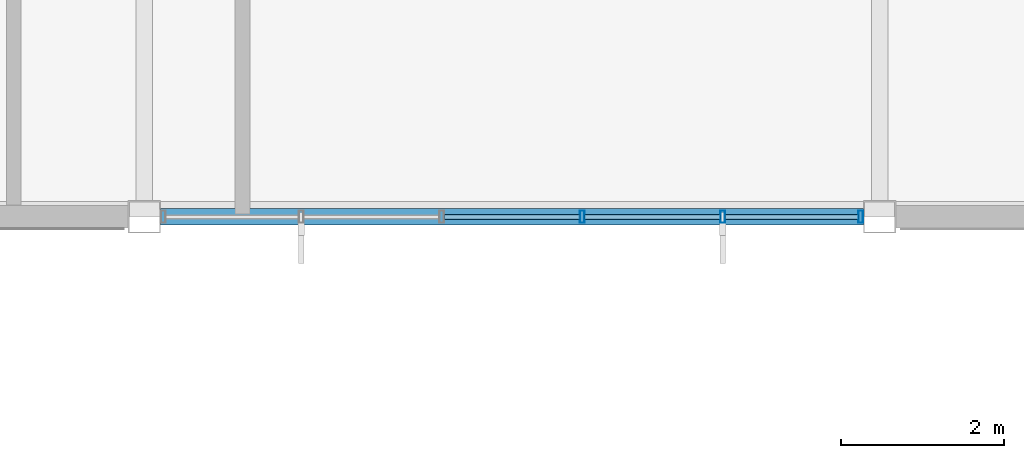
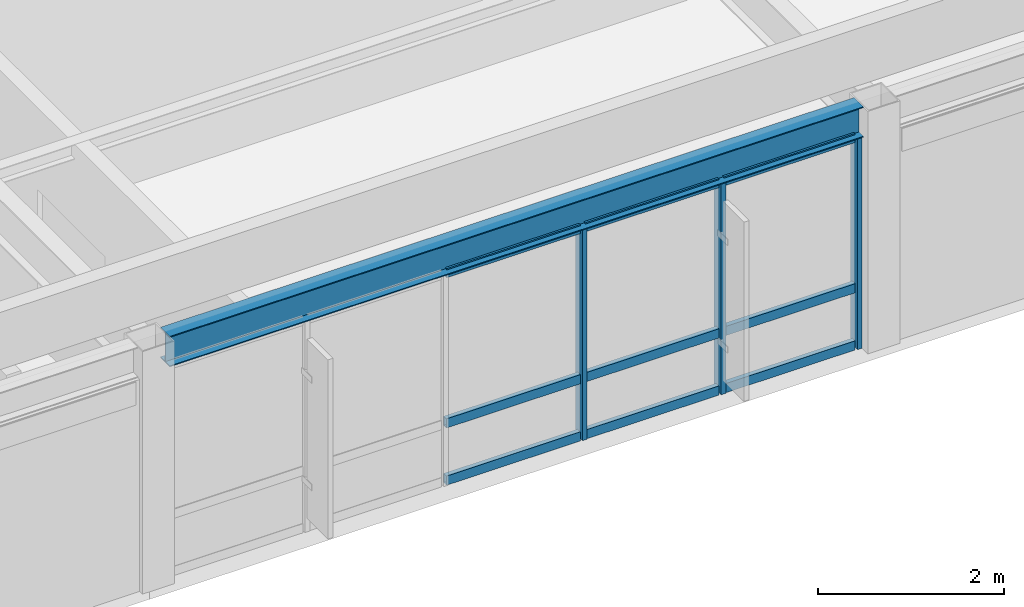
# One storey, part 6 of 43: 12 members, 1 beam, 1 element without a shape of its own.
"""IFC4 building model written with IfcOpenShell, lengths in metres."""

from ifc_helpers import new_model, si_unit, direction, frame, origin, origin_2d, place, context, subcontext, project, spatial, hollow_rectangle, i_section, extrude, material, material_profile, profile_set, type_object, element, aggregate, save


model = new_model("IFC4")

# Units and contexts
model_context = context("Model", 3, precision=1e-05, world=origin(), true_north=direction((0.0, 1.0)))
body_context = subcontext(model_context, "Body", "Model", "MODEL_VIEW")
ifc_project = project(units=[si_unit("LENGTHUNIT", "METRE"), si_unit("AREAUNIT", "SQUARE_METRE"), si_unit("VOLUMEUNIT", "CUBIC_METRE"), si_unit("PLANEANGLEUNIT", "RADIAN"), si_unit("MASSUNIT", "GRAM", prefix="KILO")], contexts=[model_context])

# Site, building, storey
site_placement = place(None, origin())
site = spatial("IfcSite", under=ifc_project, at=site_placement, CompositionType="ELEMENT")
building_placement = place(site_placement, origin())
building = spatial("IfcBuilding", under=site, at=building_placement, Name="Kazanami Central Library", CompositionType="ELEMENT")
storey_placement = place(building_placement, frame((0.0, 0.0, 20.60009765625)))
storey = spatial("IfcBuildingStorey", under=building, at=storey_placement, Name="L06", CompositionType="ELEMENT", Elevation=20.60009765625)

# Beam
ifc_material_1 = material(Name="Steel SN490B (325 MPa)", Category="steel")
ifc_material_profile_1 = material_profile(ifc_material_1, i_section(OverallWidth=0.199951171875, OverallDepth=0.39990234375, WebThickness=0.008056640625, FlangeThickness=0.012939453125, at=origin_2d()), Name="H-400x200x8x13")
ifc_profile_set_1 = profile_set([ifc_material_profile_1], Name="Steel SN490B (325 MPa)")
beam_type = type_object("IfcBeamType", Name="BM-SP-3", PredefinedType="SPANDREL", material=ifc_profile_set_1)
beam_placement = place(storey_placement, frame((18.197998046875, 64.800048828125, 2.97998046875), z_axis=(1.0, 0.0, 0.0), x_axis=(0.0, 1.0, 0.0)))
element("IfcBeam", 1, at=beam_placement, inside=storey, type_object=beam_type, Name="Girder SP-3 L06 K/3-4", PredefinedType="SPANDREL", context=body_context, shape_type="SweptSolid", body=[
    extrude(i_section(OverallWidth=0.199951171875, OverallDepth=0.39990234375, WebThickness=0.008056640625, FlangeThickness=0.012939453125, at=origin_2d()), origin(), (0.0, 0.0, 1.0), 8.60400390625),
])

# Curtain wall, members
ifc_material_2 = material(Name="Acid-Etched Low-E Laminated Glass", Category="glass")
curtain_wall_type = type_object("IfcCurtainWallType", Name="CW-8600x2780-M180", PredefinedType="USERDEFINED", material=ifc_material_2)
curtain_wall_placement = place(storey_placement, origin())
curtain_wall = element("IfcCurtainWall", 2, at=curtain_wall_placement, inside=storey, type_object=curtain_wall_type, Name="Unitised Curtain Wall CW-57 L06 S-K-02", ObjectType="UNITISED CURTAIN WALL", PredefinedType="USERDEFINED")
ifc_material_3 = material(Name="Anodised Aluminium A6063-T5", Category="aluminium")
ifc_material_profile_2 = material_profile(ifc_material_3, hollow_rectangle(XDim=0.06005859375, YDim=0.14990234375, WallThickness=0.00390625, at=origin_2d()), Name="ALU-MULL-60x150x4")
ifc_profile_set_2 = profile_set([ifc_material_profile_2], Name="Anodised Aluminium A6063-T5")
member_type_1 = type_object("IfcMemberType", Name="MEM-CW-M3", PredefinedType="MULLION", material=ifc_profile_set_2)
member_1_placement = place(storey_placement, frame((23.360107421875, 64.800048828125, 0.0), z_axis=(0.0, 0.0, 1.0), x_axis=(1.0, 0.0, 0.0)))
member_1 = element("IfcMember", 3, at=member_1_placement, type_object=member_type_1, Name="CW-57 mullion 4", PredefinedType="MULLION", context=body_context, shape_type="SweptSolid", body=[
    extrude(hollow_rectangle(XDim=0.06005859375, YDim=0.14990234375, WallThickness=0.00390625, at=origin_2d()), origin(), (0.0, 0.0, 1.0), 2.77978515625),
])
member_2_placement = place(storey_placement, frame((25.080078125, 64.800048828125, 0.0), z_axis=(0.0, 0.0, 1.0), x_axis=(1.0, 0.0, 0.0)))
member_2 = element("IfcMember", 4, at=member_2_placement, type_object=member_type_1, Name="CW-57 mullion 5", PredefinedType="MULLION", context=body_context, shape_type="SweptSolid", body=[
    extrude(hollow_rectangle(XDim=0.06005859375, YDim=0.14990234375, WallThickness=0.00390625, at=origin_2d()), origin(), (0.0, 0.0, 1.0), 2.77978515625),
])
member_3_placement = place(storey_placement, frame((26.77001953125, 64.800048828125, 0.0), z_axis=(0.0, 0.0, 1.0), x_axis=(1.0, 0.0, 0.0)))
member_3 = element("IfcMember", 5, at=member_3_placement, type_object=member_type_1, Name="CW-57 mullion 6", PredefinedType="MULLION", context=body_context, shape_type="SweptSolid", body=[
    extrude(hollow_rectangle(XDim=0.06005859375, YDim=0.14990234375, WallThickness=0.00390625, at=origin_2d()), origin(), (0.0, 0.0, 1.0), 2.77978515625),
])
ifc_material_profile_3 = material_profile(ifc_material_3, hollow_rectangle(XDim=0.06005859375, YDim=0.1201171875, WallThickness=0.00341796875, at=origin_2d()), Name="ALU-TRAN-60x120x3.5")
ifc_profile_set_3 = profile_set([ifc_material_profile_3], Name="Anodised Aluminium A6063-T5")
member_type_2 = type_object("IfcMemberType", Name="MEM-CW-T3", PredefinedType="USERDEFINED", material=ifc_profile_set_3)
member_4_placement = place(storey_placement, frame((21.669921875, 64.800048828125, 0.02978515625), z_axis=(1.0, 0.0, 0.0), x_axis=(0.0, 1.0, 0.0)))
member_4 = element("IfcMember", 6, at=member_4_placement, type_object=member_type_2, Name="CW-57 transom 3.1", ObjectType="TRANSOM", PredefinedType="USERDEFINED", context=body_context, shape_type="SweptSolid", body=[
    extrude(hollow_rectangle(XDim=0.06005859375, YDim=0.1201171875, WallThickness=0.00341796875, at=origin_2d()), origin(), (0.0, 0.0, 1.0), 1.66015625),
])
member_5_placement = place(storey_placement, frame((21.669921875, 64.800048828125, 0.77978515625), z_axis=(1.0, 0.0, 0.0), x_axis=(0.0, 1.0, 0.0)))
member_5 = element("IfcMember", 7, at=member_5_placement, type_object=member_type_2, Name="CW-57 transom 3.2", ObjectType="TRANSOM", PredefinedType="USERDEFINED", context=body_context, shape_type="SweptSolid", body=[
    extrude(hollow_rectangle(XDim=0.06005859375, YDim=0.1201171875, WallThickness=0.00341796875, at=origin_2d()), origin(), (0.0, 0.0, 1.0), 1.66015625),
])
member_6_placement = place(storey_placement, frame((21.669921875, 64.800048828125, 2.75), z_axis=(1.0, 0.0, 0.0), x_axis=(0.0, 1.0, 0.0)))
member_6 = element("IfcMember", 8, at=member_6_placement, type_object=member_type_2, Name="CW-57 transom 3.3", ObjectType="TRANSOM", PredefinedType="USERDEFINED", context=body_context, shape_type="SweptSolid", body=[
    extrude(hollow_rectangle(XDim=0.06005859375, YDim=0.1201171875, WallThickness=0.00341796875, at=origin_2d()), origin(), (0.0, 0.0, 1.0), 1.66015625),
])
member_7_placement = place(storey_placement, frame((23.389892578125, 64.800048828125, 0.02978515625), z_axis=(1.0, 0.0, 0.0), x_axis=(0.0, 1.0, 0.0)))
member_7 = element("IfcMember", 9, at=member_7_placement, type_object=member_type_2, Name="CW-57 transom 4.1", ObjectType="TRANSOM", PredefinedType="USERDEFINED", context=body_context, shape_type="SweptSolid", body=[
    extrude(hollow_rectangle(XDim=0.06005859375, YDim=0.1201171875, WallThickness=0.00341796875, at=origin_2d()), origin(), (0.0, 0.0, 1.0), 1.66015625),
])
member_8_placement = place(storey_placement, frame((23.389892578125, 64.800048828125, 0.77978515625), z_axis=(1.0, 0.0, 0.0), x_axis=(0.0, 1.0, 0.0)))
member_8 = element("IfcMember", 10, at=member_8_placement, type_object=member_type_2, Name="CW-57 transom 4.2", ObjectType="TRANSOM", PredefinedType="USERDEFINED", context=body_context, shape_type="SweptSolid", body=[
    extrude(hollow_rectangle(XDim=0.06005859375, YDim=0.1201171875, WallThickness=0.00341796875, at=origin_2d()), origin(), (0.0, 0.0, 1.0), 1.66015625),
])
member_9_placement = place(storey_placement, frame((23.389892578125, 64.800048828125, 2.75), z_axis=(1.0, 0.0, 0.0), x_axis=(0.0, 1.0, 0.0)))
member_9 = element("IfcMember", 11, at=member_9_placement, type_object=member_type_2, Name="CW-57 transom 4.3", ObjectType="TRANSOM", PredefinedType="USERDEFINED", context=body_context, shape_type="SweptSolid", body=[
    extrude(hollow_rectangle(XDim=0.06005859375, YDim=0.1201171875, WallThickness=0.00341796875, at=origin_2d()), origin(), (0.0, 0.0, 1.0), 1.66015625),
])
member_10_placement = place(storey_placement, frame((25.110107421875, 64.800048828125, 0.02978515625), z_axis=(1.0, 0.0, 0.0), x_axis=(0.0, 1.0, 0.0)))
member_10 = element("IfcMember", 12, at=member_10_placement, type_object=member_type_2, Name="CW-57 transom 5.1", ObjectType="TRANSOM", PredefinedType="USERDEFINED", context=body_context, shape_type="SweptSolid", body=[
    extrude(hollow_rectangle(XDim=0.06005859375, YDim=0.1201171875, WallThickness=0.00341796875, at=origin_2d()), origin(), (0.0, 0.0, 1.0), 1.6298828125),
])
member_11_placement = place(storey_placement, frame((25.110107421875, 64.800048828125, 0.77978515625), z_axis=(1.0, 0.0, 0.0), x_axis=(0.0, 1.0, 0.0)))
member_11 = element("IfcMember", 13, at=member_11_placement, type_object=member_type_2, Name="CW-57 transom 5.2", ObjectType="TRANSOM", PredefinedType="USERDEFINED", context=body_context, shape_type="SweptSolid", body=[
    extrude(hollow_rectangle(XDim=0.06005859375, YDim=0.1201171875, WallThickness=0.00341796875, at=origin_2d()), origin(), (0.0, 0.0, 1.0), 1.6298828125),
])
member_12_placement = place(storey_placement, frame((25.110107421875, 64.800048828125, 2.75), z_axis=(1.0, 0.0, 0.0), x_axis=(0.0, 1.0, 0.0)))
member_12 = element("IfcMember", 14, at=member_12_placement, type_object=member_type_2, Name="CW-57 transom 5.3", ObjectType="TRANSOM", PredefinedType="USERDEFINED", context=body_context, shape_type="SweptSolid", body=[
    extrude(hollow_rectangle(XDim=0.06005859375, YDim=0.1201171875, WallThickness=0.00341796875, at=origin_2d()), origin(), (0.0, 0.0, 1.0), 1.6298828125),
])
aggregate(curtain_wall, [member_1, member_2, member_3, member_4, member_5, member_6, member_7, member_8, member_9, member_10, member_11, member_12])

save(model, "model.ifc")
